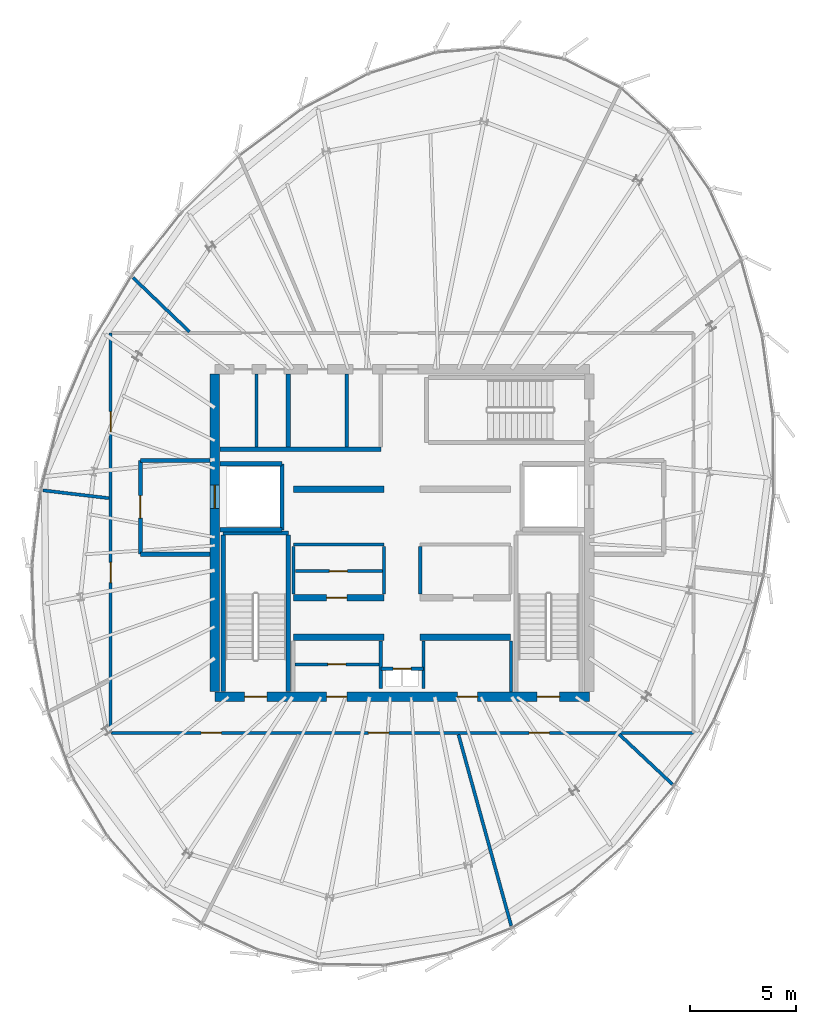
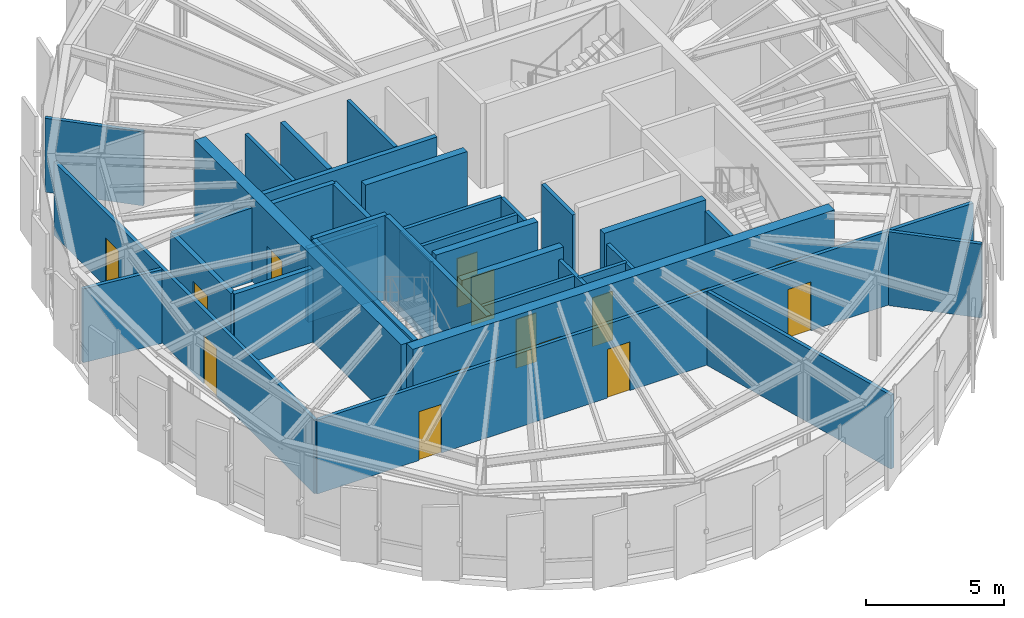
# One storey, part 21 of 26: 35 walls, 15 doors, 15 openings.
"""IFC4 building model written with IfcOpenShell, lengths in metres."""

from ifc_helpers import new_model, si_unit, direction, frame, frame_2d, origin, place, context, subcontext, project, spatial, rectangle, extrude, source, transform, mapped, material, layer, layer_set, type_object, element, fill, save


model = new_model("IFC4")

# Units and contexts
model_context = context("Model", 3, precision=1e-05, world=origin(), true_north=direction((0.0, 1.0)))
body_context = subcontext(model_context, "Body", "Model", "MODEL_VIEW")
ifc_project = project(units=[si_unit("LENGTHUNIT", "METRE"), si_unit("AREAUNIT", "SQUARE_METRE"), si_unit("VOLUMEUNIT", "CUBIC_METRE"), si_unit("PLANEANGLEUNIT", "RADIAN"), si_unit("MASSUNIT", "GRAM", prefix="KILO"), si_unit("THERMODYNAMICTEMPERATUREUNIT", "KELVIN")], contexts=[model_context])

# Site, building, storey
site_placement = place(None, origin())
site = spatial("IfcSite", under=ifc_project, at=site_placement, CompositionType="ELEMENT")
building_placement = place(site_placement, origin())
building = spatial("IfcBuilding", under=site, at=building_placement, Name="Kethvar Cultural Tower", CompositionType="ELEMENT")
storey_placement = place(building_placement, frame((0.0, 0.0, 320.300048828125)))
storey = spatial("IfcBuildingStorey", under=building, at=storey_placement, Name="L85", CompositionType="ELEMENT", Elevation=320.300048828125)

# Wall, openings, doors
ifc_material_1 = material(Name="Concrete C50/60", Category="concrete")
ifc_layer_1 = layer(ifc_material_1, 0.449951171875, Name="Concrete C50/60", Category="concrete")
ifc_layer_set_1 = layer_set([ifc_layer_1], Name="Concrete C50/60 (450 mm)")
wall_type_1 = type_object("IfcWallType", Name="WL-CORE-450", PredefinedType="SHEAR", material=ifc_layer_set_1)
wall_1_placement = place(storey_placement, frame((38.0, 20.10009765625, 0.0), z_axis=(0.0, 0.0, 1.0), x_axis=(1.0, 0.0, 0.0)))
wall_1 = element("IfcWall", 1, at=wall_1_placement, inside=storey, type_object=wall_type_1, Name="L85 Core Shear Wall S", PredefinedType="SHEAR", context=body_context, shape_type="SweptSolid", body=[
    extrude(rectangle(XDim=17.60009765625, YDim=0.449951171875, at=frame_2d((8.800048828125, 0.0))), origin(), (0.0, 0.0, 1.0), 3.73486328125),
])
opening_1_placement = place(wall_1_placement, frame((1.39990234375, 0.0, 0.0)))
opening_1 = element("IfcOpeningElement", 2, at=opening_1_placement, cuts=wall_1, Name="Opening D-L85-S1", PredefinedType="OPENING", context=body_context, shape_type="SweptSolid", body=[
    extrude(rectangle(XDim=1.050048828125, YDim=2.14990234375, at=frame_2d((0.52490234375, 1.074951171875))), frame((0.0, 0.23486328125, 0.0), z_axis=(0.0, -1.0, 0.0), x_axis=(1.0, 0.0, 0.0)), (0.0, 0.0, 1.0), 0.469970703125),
])
opening_2_placement = place(wall_1_placement, frame((15.14990234375, 0.0, 0.0)))
opening_2 = element("IfcOpeningElement", 3, at=opening_2_placement, cuts=wall_1, Name="Opening D-L85-ST2", PredefinedType="OPENING", context=body_context, shape_type="SweptSolid", body=[
    extrude(rectangle(XDim=1.050048828125, YDim=2.14990234375, at=frame_2d((0.52490234375, 1.074951171875))), frame((0.0, 0.23486328125, 0.0), z_axis=(0.0, -1.0, 0.0), x_axis=(1.0, 0.0, 0.0)), (0.0, 0.0, 1.0), 0.469970703125),
])
opening_3_placement = place(wall_1_placement, frame((5.25, 0.0, 0.0)))
opening_3 = element("IfcOpeningElement", 4, at=opening_3_placement, cuts=wall_1, Name="Opening D-L85-V1", PredefinedType="OPENING", context=body_context, shape_type="SweptSolid", body=[
    extrude(rectangle(XDim=0.949951171875, YDim=2.14990234375, at=frame_2d((0.47509765625, 1.074951171875))), frame((0.0, 0.23486328125, 0.0), z_axis=(0.0, -1.0, 0.0), x_axis=(1.0, 0.0, 0.0)), (0.0, 0.0, 1.0), 0.469970703125),
])
opening_4_placement = place(wall_1_placement, frame((11.39990234375, 0.0, 0.0)))
opening_4 = element("IfcOpeningElement", 5, at=opening_4_placement, cuts=wall_1, Name="Opening D-L85-V2", PredefinedType="OPENING", context=body_context, shape_type="SweptSolid", body=[
    extrude(rectangle(XDim=0.949951171875, YDim=2.14990234375, at=frame_2d((0.47509765625, 1.074951171875))), frame((0.0, 0.23486328125, 0.0), z_axis=(0.0, -1.0, 0.0), x_axis=(1.0, 0.0, 0.0)), (0.0, 0.0, 1.0), 0.469970703125),
])
ifc_material_2 = material(Name="Steel S355J2", Category="steel")
door_type_1 = type_object("IfcDoorType", Name="DR-FD60-1050", OperationType="NOTDEFINED", PredefinedType="DOOR", material=ifc_material_2)
shared_shape_1 = source(origin(), body_context, "Body", "SweptSolid", [
    extrude(rectangle(XDim=1.050048828125, YDim=2.14990234375, at=frame_2d((0.52490234375, 1.074951171875))), frame((0.0, 0.02490234375, 0.0), z_axis=(0.0, -1.0, 0.0), x_axis=(1.0, 0.0, 0.0)), (0.0, 0.0, 1.0), 0.050048828125),
])
door_1_placement = place(opening_1_placement, origin())
door_1 = element("IfcDoor", 6, at=door_1_placement, inside=storey, type_object=door_type_1, Name="L85 Exit Stair 1 Door", OperationType="SINGLE_SWING_LEFT", OverallHeight=2.14990234375, OverallWidth=1.050048828125, PredefinedType="DOOR", context=body_context, shape_type="MappedRepresentation", body=[
    mapped(shared_shape_1, transform((0.0, 0.0, 0.0), scale=1.0)),
])
fill(opening_1, door_1)
door_2_placement = place(opening_2_placement, origin())
door_2 = element("IfcDoor", 7, at=door_2_placement, inside=storey, type_object=door_type_1, Name="L85 Exit Stair 2 Door", OperationType="SINGLE_SWING_RIGHT", OverallHeight=2.14990234375, OverallWidth=1.050048828125, PredefinedType="DOOR", context=body_context, shape_type="MappedRepresentation", body=[
    mapped(shared_shape_1, transform((0.0, 0.0, 0.0), scale=1.0)),
])
fill(opening_2, door_2)
ifc_material_3 = material(Name="Architectural Oak Timber", Category="wood")
door_type_2 = type_object("IfcDoorType", Name="DR-FD30-950", OperationType="NOTDEFINED", PredefinedType="DOOR", material=ifc_material_3)
shared_shape_2 = source(origin(), body_context, "Body", "SweptSolid", [
    extrude(rectangle(XDim=0.949951171875, YDim=2.14990234375, at=frame_2d((0.47509765625, 1.074951171875))), frame((0.0, 0.02490234375, 0.0), z_axis=(0.0, -1.0, 0.0), x_axis=(1.0, 0.0, 0.0)), (0.0, 0.0, 1.0), 0.050048828125),
])
door_3_placement = place(opening_3_placement, origin())
door_3 = element("IfcDoor", 8, at=door_3_placement, inside=storey, type_object=door_type_2, Name="L85 Reclaimed West South Door", OperationType="SINGLE_SWING_LEFT", OverallHeight=2.14990234375, OverallWidth=0.949951171875, PredefinedType="DOOR", context=body_context, shape_type="MappedRepresentation", body=[
    mapped(shared_shape_2, transform((0.0, 0.0, 0.0), scale=1.0)),
])
fill(opening_3, door_3)
door_4_placement = place(opening_4_placement, origin())
door_4 = element("IfcDoor", 9, at=door_4_placement, inside=storey, type_object=door_type_2, Name="L85 Reclaimed East Server Door", OperationType="SINGLE_SWING_RIGHT", OverallHeight=2.14990234375, OverallWidth=0.949951171875, PredefinedType="DOOR", context=body_context, shape_type="MappedRepresentation", body=[
    mapped(shared_shape_2, transform((0.0, 0.0, 0.0), scale=1.0)),
])
fill(opening_4, door_4)

# Wall, opening, door
wall_2_placement = place(storey_placement, frame((38.0, 35.260009765625, 0.0), z_axis=(0.0, 0.0, 1.0), x_axis=(0.0, -1.0, 0.0)))
wall_2 = element("IfcWall", 10, at=wall_2_placement, inside=storey, type_object=wall_type_1, Name="L85 Core Shear Wall W", PredefinedType="SHEAR", context=body_context, shape_type="SweptSolid", body=[
    extrude(rectangle(XDim=14.919921875, YDim=0.449951171875, at=frame_2d((7.4599609375, 0.0))), origin(), (0.0, 0.0, 1.0), 3.73486328125),
])
opening_5_placement = place(wall_2_placement, frame((5.2099609375, 0.0, 0.0)))
opening_5 = element("IfcOpeningElement", 11, at=opening_5_placement, cuts=wall_2, Name="Opening LD-1", PredefinedType="OPENING", context=body_context, shape_type="SweptSolid", body=[
    extrude(rectangle(XDim=1.10009765625, YDim=2.199951171875, at=frame_2d((0.550048828125, 1.10009765625))), frame((0.0, 0.23486328125, 0.0), z_axis=(0.0, -1.0, 0.0), x_axis=(1.0, 0.0, 0.0)), (0.0, 0.0, 1.0), 0.469970703125),
])
door_type_3 = type_object("IfcDoorType", Name="DR-LIFT-SLIDE-1100", OperationType="NOTDEFINED", PredefinedType="DOOR", material=ifc_material_2)
shared_shape_3 = source(origin(), body_context, "Body", "SweptSolid", [
    extrude(rectangle(XDim=1.10009765625, YDim=2.199951171875, at=frame_2d((0.550048828125, 1.10009765625))), frame((0.0, 0.02490234375, 0.0), z_axis=(0.0, -1.0, 0.0), x_axis=(1.0, 0.0, 0.0)), (0.0, 0.0, 1.0), 0.050048828125),
])
door_5_placement = place(opening_5_placement, origin())
door_5 = element("IfcDoor", 12, at=door_5_placement, inside=storey, type_object=door_type_3, Name="L85 Firefighting Lift Landing Door FFL-01", OperationType="SLIDING_TO_LEFT", OverallHeight=2.199951171875, OverallWidth=1.10009765625, PredefinedType="DOOR", context=body_context, shape_type="MappedRepresentation", body=[
    mapped(shared_shape_3, transform((0.0, 0.0, 0.0), scale=1.0)),
])
fill(opening_5, door_5)

ifc_material_4 = material(Name="Gypsum Fireboard Partition")
ifc_layer_2 = layer(ifc_material_4, 0.14990234375, Name="Gypsum Fireboard Partition")
ifc_layer_set_2 = layer_set([ifc_layer_2], Name="Gypsum Fireboard Partition (150 mm)")
wall_type_2 = type_object("IfcWallType", Name="WL-FIRE-150", PredefinedType="PARTITIONING", material=ifc_layer_set_2)
wall_3_placement = place(storey_placement, frame((45.800048828125, 21.419921875, 0.0), z_axis=(0.0, 0.0, 1.0), x_axis=(1.0, 0.0, 0.0)))
wall_3 = element("IfcWall", 13, at=wall_3_placement, inside=storey, type_object=wall_type_2, Name="L85 Core Riser Wall", PredefinedType="PARTITIONING", context=body_context, shape_type="SweptSolid", body=[
    extrude(rectangle(XDim=2.0, YDim=0.14990234375, at=frame_2d((1.0, 0.0))), origin(), (0.0, 0.0, 1.0), 3.260009765625),
])
opening_6_placement = place(wall_3_placement, frame((0.574951171875, 0.0, 0.0)))
opening_6 = element("IfcOpeningElement", 14, at=opening_6_placement, cuts=wall_3, Name="Opening D-L85-RS", PredefinedType="OPENING", context=body_context, shape_type="SweptSolid", body=[
    extrude(rectangle(XDim=0.85009765625, YDim=2.14990234375, at=frame_2d((0.425048828125, 1.074951171875))), frame((0.0, 0.0849609375, 0.0), z_axis=(0.0, -1.0, 0.0), x_axis=(1.0, 0.0, 0.0)), (0.0, 0.0, 1.0), 0.169921875),
])
door_type_4 = type_object("IfcDoorType", Name="DR-FD30-850", OperationType="NOTDEFINED", PredefinedType="DOOR", material=ifc_material_2)
shared_shape_4 = source(origin(), body_context, "Body", "SweptSolid", [
    extrude(rectangle(XDim=0.85009765625, YDim=2.14990234375, at=frame_2d((0.425048828125, 1.074951171875))), frame((0.0, 0.02490234375, 0.0), z_axis=(0.0, -1.0, 0.0), x_axis=(1.0, 0.0, 0.0)), (0.0, 0.0, 1.0), 0.050048828125),
])
door_6_placement = place(opening_6_placement, origin())
door_6 = element("IfcDoor", 15, at=door_6_placement, inside=storey, type_object=door_type_4, Name="L85 Service Riser Access Door", OperationType="SINGLE_SWING_LEFT", OverallHeight=2.14990234375, OverallWidth=0.85009765625, PredefinedType="DOOR", context=body_context, shape_type="MappedRepresentation", body=[
    mapped(shared_shape_4, transform((0.0, 0.0, 0.0), scale=1.0)),
])
fill(opening_6, door_6)

# Walls
for number, where, z_axis, x_axis, name in (
    (16, (45.800048828125, 20.47998046875, 0.0), (0.0, 0.0, 1.0), (0.0, 1.0, 0.0), "L85 Core Riser West Wall"),
    (17, (47.800048828125, 20.47998046875, 0.0), (0.0, 0.0, 1.0), (0.0, 1.0, 0.0), "L85 Core Riser East Wall"),
):
    element("IfcWall", number, at=place(storey_placement, frame(where, z_axis=z_axis, x_axis=x_axis)), inside=storey, type_object=wall_type_2, Name=name, PredefinedType="PARTITIONING", context=body_context, shape_type="SweptSolid", body=[
        extrude(rectangle(XDim=2.239990234375, YDim=0.14990234375, at=frame_2d((1.1201171875, 0.0))), origin(), (0.0, 0.0, 1.0), 3.260009765625),
    ])
wall_4_placement = place(storey_placement, frame((51.919921875, 20.3349609375, 0.0), z_axis=(0.0, 0.0, 1.0), x_axis=(0.0, 1.0, 0.0)))
element("IfcWall", 18, at=wall_4_placement, inside=storey, type_object=wall_type_2, Name="L85 Reclaimed East Outer Wall", PredefinedType="PARTITIONING", context=body_context, shape_type="SweptSolid", body=[
    extrude(rectangle(XDim=2.39501953125, YDim=0.14990234375, at=frame_2d((1.197509765625, 0.0))), origin(), (0.0, 0.0, 1.0), 3.260009765625),
])

# Wall, opening, door
wall_5_placement = place(storey_placement, frame((41.760009765625, 21.6201171875, 0.0), z_axis=(0.0, 0.0, 1.0), x_axis=(1.0, 0.0, 0.0)))
wall_5 = element("IfcWall", 19, at=wall_5_placement, inside=storey, type_object=wall_type_2, Name="L85 Vault Gallery Wall W", PredefinedType="PARTITIONING", context=body_context, shape_type="SweptSolid", body=[
    extrude(rectangle(XDim=3.9599609375, YDim=0.14990234375, at=frame_2d((1.97998046875, 0.0))), origin(), (0.0, 0.0, 1.0), 3.260009765625),
])
opening_7_placement = place(wall_5_placement, frame((1.550048828125, 0.0, 0.0)))
opening_7 = element("IfcOpeningElement", 20, at=opening_7_placement, cuts=wall_5, Name="Opening D-L85-V3", PredefinedType="OPENING", context=body_context, shape_type="SweptSolid", body=[
    extrude(rectangle(XDim=0.85009765625, YDim=2.14990234375, at=frame_2d((0.425048828125, 1.074951171875))), frame((0.0, 0.0849609375, 0.0), z_axis=(0.0, -1.0, 0.0), x_axis=(1.0, 0.0, 0.0)), (0.0, 0.0, 1.0), 0.169921875),
])
door_7_placement = place(opening_7_placement, origin())
door_7 = element("IfcDoor", 21, at=door_7_placement, inside=storey, type_object=door_type_4, Name="L85 Inner Vault Gallery Door", OperationType="SINGLE_SWING_LEFT", OverallHeight=2.14990234375, OverallWidth=0.85009765625, PredefinedType="DOOR", context=body_context, shape_type="MappedRepresentation", body=[
    mapped(shared_shape_4, transform((0.0, 0.0, 0.0), scale=1.0)),
])
fill(opening_7, door_7)

# Walls
wall_6_placement = place(storey_placement, frame((41.699951171875, 27.25, 0.0), z_axis=(0.0, 0.0, 1.0), x_axis=(1.0, 0.0, 0.0)))
element("IfcWall", 22, at=wall_6_placement, inside=storey, type_object=wall_type_2, Name="L85 Reclaimed Mid Wall W", PredefinedType="PARTITIONING", context=body_context, shape_type="SweptSolid", body=[
    extrude(rectangle(XDim=4.25, YDim=0.14990234375, at=frame_2d((2.125, 0.0))), origin(), (0.0, 0.0, 1.0), 3.260009765625),
])
for number, where, z_axis, x_axis, name in (
    (23, (41.699951171875, 24.919921875, 0.0), (0.0, 0.0, 1.0), (0.0, 1.0, 0.0), "L85 Reclaimed Mid Outer W"),
    (24, (45.949951171875, 24.919921875, 0.0), (0.0, 0.0, 1.0), (0.0, 1.0, 0.0), "L85 Reclaimed Mid Spine W"),
    (25, (47.64990234375, 24.919921875, 0.0), (0.0, 0.0, 1.0), (0.0, 1.0, 0.0), "L85 Reclaimed Mid Spine E"),
):
    element("IfcWall", number, at=place(storey_placement, frame(where, z_axis=z_axis, x_axis=x_axis)), inside=storey, type_object=wall_type_2, Name=name, PredefinedType="PARTITIONING", context=body_context, shape_type="SweptSolid", body=[
        extrude(rectangle(XDim=2.239990234375, YDim=0.14990234375, at=frame_2d((1.1201171875, 0.0))), origin(), (0.0, 0.0, 1.0), 3.260009765625),
    ])

# Wall, opening, door
wall_7_placement = place(storey_placement, frame((41.780029296875, 26.010009765625, 0.0), z_axis=(0.0, 0.0, 1.0), x_axis=(1.0, 0.0, 0.0)))
wall_7 = element("IfcWall", 26, at=wall_7_placement, inside=storey, type_object=wall_type_2, Name="L85 Mid Gallery Wall W", PredefinedType="PARTITIONING", context=body_context, shape_type="SweptSolid", body=[
    extrude(rectangle(XDim=4.090087890625, YDim=0.14990234375, at=frame_2d((2.044921875, 0.0))), origin(), (0.0, 0.0, 1.0), 3.260009765625),
])
opening_8_placement = place(wall_7_placement, frame((1.60009765625, 0.0, 0.0)))
opening_8 = element("IfcOpeningElement", 27, at=opening_8_placement, cuts=wall_7, Name="Opening D-L85-M3", PredefinedType="OPENING", context=body_context, shape_type="SweptSolid", body=[
    extrude(rectangle(XDim=0.85009765625, YDim=2.14990234375, at=frame_2d((0.425048828125, 1.074951171875))), frame((0.0, 0.0849609375, 0.0), z_axis=(0.0, -1.0, 0.0), x_axis=(1.0, 0.0, 0.0)), (0.0, 0.0, 1.0), 0.169921875),
])
door_8_placement = place(opening_8_placement, origin())
door_8 = element("IfcDoor", 28, at=door_8_placement, inside=storey, type_object=door_type_4, Name="L85 Fibre Inner Door", OperationType="SINGLE_SWING_LEFT", OverallHeight=2.14990234375, OverallWidth=0.85009765625, PredefinedType="DOOR", context=body_context, shape_type="MappedRepresentation", body=[
    mapped(shared_shape_4, transform((0.0, 0.0, 0.0), scale=1.0)),
])
fill(opening_8, door_8)

# Wall
wall_8_placement = place(storey_placement, frame((39.949951171875, 31.85009765625, 0.0), z_axis=(0.0, 0.0, 1.0), x_axis=(0.0, 1.0, 0.0)))
element("IfcWall", 29, at=wall_8_placement, inside=storey, type_object=wall_type_2, Name="L85 NW Riser Divider", PredefinedType="PARTITIONING", context=body_context, shape_type="SweptSolid", body=[
    extrude(rectangle(XDim=3.414794921875, YDim=0.14990234375, at=frame_2d((1.70751953125, 0.0))), origin(), (0.0, 0.0, 1.0), 3.260009765625),
])

# Wall, openings, doors
wall_9_placement = place(storey_placement, frame((33.10009765625, 18.39990234375, 0.0), z_axis=(0.0, 0.0, 1.0), x_axis=(1.0, 0.0, 0.0)))
wall_9 = element("IfcWall", 30, at=wall_9_placement, inside=storey, type_object=wall_type_2, Name="L85 Corridor Rated Wall S", PredefinedType="PARTITIONING", context=body_context, shape_type="SweptSolid", body=[
    extrude(rectangle(XDim=27.39990234375, YDim=0.14990234375, at=frame_2d((13.699951171875, 0.0))), origin(), (0.0, 0.0, 1.0), 3.260009765625),
])
opening_9_placement = place(wall_9_placement, frame((4.257080078125, 0.0, 0.0)))
opening_9 = element("IfcOpeningElement", 31, at=opening_9_placement, cuts=wall_9, Name="Opening D-L85-01", PredefinedType="OPENING", context=body_context, shape_type="SweptSolid", body=[
    extrude(rectangle(XDim=0.949951171875, YDim=2.14990234375, at=frame_2d((0.47509765625, 1.074951171875))), frame((0.0, 0.0849609375, 0.0), z_axis=(0.0, -1.0, 0.0), x_axis=(1.0, 0.0, 0.0)), (0.0, 0.0, 1.0), 0.169921875),
])
opening_10_placement = place(wall_9_placement, frame((12.11962890625, 0.0, 0.0)))
opening_10 = element("IfcOpeningElement", 32, at=opening_10_placement, cuts=wall_9, Name="Opening D-L85-02", PredefinedType="OPENING", context=body_context, shape_type="SweptSolid", body=[
    extrude(rectangle(XDim=0.949951171875, YDim=2.14990234375, at=frame_2d((0.47509765625, 1.074951171875))), frame((0.0, 0.0849609375, 0.0), z_axis=(0.0, -1.0, 0.0), x_axis=(1.0, 0.0, 0.0)), (0.0, 0.0, 1.0), 0.169921875),
])
opening_11_placement = place(wall_9_placement, frame((19.673583984375, 0.0, 0.0)))
opening_11 = element("IfcOpeningElement", 33, at=opening_11_placement, cuts=wall_9, Name="Opening D-L85-03", PredefinedType="OPENING", context=body_context, shape_type="SweptSolid", body=[
    extrude(rectangle(XDim=0.949951171875, YDim=2.14990234375, at=frame_2d((0.47509765625, 1.074951171875))), frame((0.0, 0.0849609375, 0.0), z_axis=(0.0, -1.0, 0.0), x_axis=(1.0, 0.0, 0.0)), (0.0, 0.0, 1.0), 0.169921875),
])
door_9_placement = place(opening_9_placement, origin())
door_9 = element("IfcDoor", 34, at=door_9_placement, inside=storey, type_object=door_type_2, Name="L85 Crown Chiller Plant Room 01 Door", OperationType="SINGLE_SWING_RIGHT", OverallHeight=2.14990234375, OverallWidth=0.949951171875, PredefinedType="DOOR", context=body_context, shape_type="MappedRepresentation", body=[
    mapped(shared_shape_2, transform((0.0, 0.0, 0.0), scale=1.0)),
])
fill(opening_9, door_9)
door_10_placement = place(opening_10_placement, origin())
door_10 = element("IfcDoor", 35, at=door_10_placement, inside=storey, type_object=door_type_2, Name="L85 Primary AHU Mechanical Plant Room 02 Door", OperationType="SINGLE_SWING_LEFT", OverallHeight=2.14990234375, OverallWidth=0.949951171875, PredefinedType="DOOR", context=body_context, shape_type="MappedRepresentation", body=[
    mapped(shared_shape_2, transform((0.0, 0.0, 0.0), scale=1.0)),
])
fill(opening_10, door_10)
door_11_placement = place(opening_11_placement, origin())
door_11 = element("IfcDoor", 36, at=door_11_placement, inside=storey, type_object=door_type_2, Name="L85 Broadcast Transmitter Plant Room 03 Door", OperationType="SINGLE_SWING_RIGHT", OverallHeight=2.14990234375, OverallWidth=0.949951171875, PredefinedType="DOOR", context=body_context, shape_type="MappedRepresentation", body=[
    mapped(shared_shape_2, transform((0.0, 0.0, 0.0), scale=1.0)),
])
fill(opening_11, door_11)

wall_10_placement = place(storey_placement, frame((33.10009765625, 37.199951171875, 0.0), z_axis=(0.0, 0.0, 1.0), x_axis=(0.0, -1.0, 0.0)))
wall_10 = element("IfcWall", 37, at=wall_10_placement, inside=storey, type_object=wall_type_2, Name="L85 Corridor Rated Wall W", PredefinedType="PARTITIONING", context=body_context, shape_type="SweptSolid", body=[
    extrude(rectangle(XDim=18.800048828125, YDim=0.14990234375, at=frame_2d((9.39990234375, 0.0))), origin(), (0.0, 0.0, 1.0), 3.260009765625),
])
opening_12_placement = place(wall_10_placement, frame((3.702880859375, 0.0, 0.0)))
opening_12 = element("IfcOpeningElement", 38, at=opening_12_placement, cuts=wall_10, Name="Opening D-L85-09", PredefinedType="OPENING", context=body_context, shape_type="SweptSolid", body=[
    extrude(rectangle(XDim=0.949951171875, YDim=2.14990234375, at=frame_2d((0.47509765625, 1.074951171875))), frame((0.0, 0.0849609375, 0.0), z_axis=(0.0, -1.0, 0.0), x_axis=(1.0, 0.0, 0.0)), (0.0, 0.0, 1.0), 0.169921875),
])
opening_13_placement = place(wall_10_placement, frame((10.783935546875, 0.0, 0.0)))
opening_13 = element("IfcOpeningElement", 39, at=opening_13_placement, cuts=wall_10, Name="Opening D-L85-10", PredefinedType="OPENING", context=body_context, shape_type="SweptSolid", body=[
    extrude(rectangle(XDim=0.949951171875, YDim=2.14990234375, at=frame_2d((0.47509765625, 1.074951171875))), frame((0.0, 0.0849609375, 0.0), z_axis=(0.0, -1.0, 0.0), x_axis=(1.0, 0.0, 0.0)), (0.0, 0.0, 1.0), 0.169921875),
])
door_12_placement = place(opening_12_placement, origin())
door_12 = element("IfcDoor", 40, at=door_12_placement, inside=storey, type_object=door_type_2, Name="L85 Smoke Extract Mechanical Plant Room 09 Door", OperationType="SINGLE_SWING_RIGHT", OverallHeight=2.14990234375, OverallWidth=0.949951171875, PredefinedType="DOOR", context=body_context, shape_type="MappedRepresentation", body=[
    mapped(shared_shape_2, transform((0.0, 0.0, 0.0), scale=1.0)),
])
fill(opening_12, door_12)
door_13_placement = place(opening_13_placement, origin())
door_13 = element("IfcDoor", 41, at=door_13_placement, inside=storey, type_object=door_type_2, Name="L85 Telemetry Equipment Plant Room 10 Door", OperationType="SINGLE_SWING_LEFT", OverallHeight=2.14990234375, OverallWidth=0.949951171875, PredefinedType="DOOR", context=body_context, shape_type="MappedRepresentation", body=[
    mapped(shared_shape_2, transform((0.0, 0.0, 0.0), scale=1.0)),
])
fill(opening_13, door_13)

# Walls
wall_11_placement = place(storey_placement, frame((49.449951171875, 18.322998046875, 0.0), z_axis=(0.0, 0.0, 1.0), x_axis=(0.265908021181, -0.963998404704, 0.0)))
element("IfcWall", 42, at=wall_11_placement, inside=storey, type_object=wall_type_2, Name="L85 Radial Partition Wall 03", PredefinedType="PARTITIONING", context=body_context, shape_type="SweptSolid", body=[
    extrude(rectangle(XDim=9.32373046875, YDim=0.14990234375, at=frame_2d((4.661865234375, 0.0))), origin(), (0.0, 0.0, 1.0), 3.260009765625),
])
wall_12_placement = place(storey_placement, frame((56.994873046875, 18.34521484375, 0.0), z_axis=(0.0, 0.0, 1.0), x_axis=(0.728734466028, -0.684796377052, 0.0)))
element("IfcWall", 43, at=wall_12_placement, inside=storey, type_object=wall_type_2, Name="L85 Radial Partition Wall 04", PredefinedType="PARTITIONING", context=body_context, shape_type="SweptSolid", body=[
    extrude(rectangle(XDim=3.445068359375, YDim=0.14990234375, at=frame_2d((1.72265625, 0.0))), origin(), (0.0, 0.0, 1.0), 3.260009765625),
])
wall_13_placement = place(storey_placement, frame((36.80517578125, 37.25537109375, 0.0), z_axis=(0.0, 0.0, 1.0), x_axis=(-0.721787379601, 0.692114859433, 0.0)))
element("IfcWall", 44, at=wall_13_placement, inside=storey, type_object=wall_type_2, Name="L85 Radial Partition Wall 09", PredefinedType="PARTITIONING", context=body_context, shape_type="SweptSolid", body=[
    extrude(rectangle(XDim=3.669677734375, YDim=0.14990234375, at=frame_2d((1.8349609375, 0.0))), origin(), (0.0, 0.0, 1.0), 3.260009765625),
])
wall_14_placement = place(storey_placement, frame((33.0205078125, 29.43359375, 0.0), z_axis=(0.0, 0.0, 1.0), x_axis=(-0.993026995763, 0.117887173544, 0.0)))
element("IfcWall", 45, at=wall_14_placement, inside=storey, type_object=wall_type_2, Name="L85 Radial Partition Wall 10", PredefinedType="PARTITIONING", context=body_context, shape_type="SweptSolid", body=[
    extrude(rectangle(XDim=3.11474609375, YDim=0.14990234375, at=frame_2d((1.557373046875, 0.0))), origin(), (0.0, 0.0, 1.0), 3.260009765625),
])
ifc_material_5 = material(Name="Concrete C40/50", Category="concrete")
ifc_layer_3 = layer(ifc_material_5, 0.199951171875, Name="Concrete C40/50", Category="concrete")
ifc_layer_set_3 = layer_set([ifc_layer_3], Name="Concrete C40/50 (200 mm)")
wall_type_3 = type_object("IfcWallType", Name="WL-FIRE-200", PredefinedType="PARTITIONING", material=ifc_layer_set_3)
wall_15_placement = place(storey_placement, frame((41.14990234375, 27.949951171875, 0.0), z_axis=(0.0, 0.0, 1.0), x_axis=(0.0, 1.0, 0.0)))
element("IfcWall", 46, at=wall_15_placement, inside=storey, type_object=wall_type_3, Name="L85 FFL-01 Shaft Inner Wall", PredefinedType="PARTITIONING", context=body_context, shape_type="SweptSolid", body=[
    extrude(rectangle(XDim=3.10009765625, YDim=0.199951171875, at=frame_2d((1.550048828125, 0.0))), origin(), (0.0, 0.0, 1.0), 3.260009765625),
])
for number, where, z_axis, x_axis, name in (
    (47, (38.235107421875, 27.949951171875, 0.0), (0.0, 0.0, 1.0), (1.0, 0.0, 0.0), "L85 FFL-01 Shaft South Wall"),
    (48, (38.235107421875, 31.050048828125, 0.0), (0.0, 0.0, 1.0), (1.0, 0.0, 0.0), "L85 FFL-01 Shaft North Wall"),
):
    element("IfcWall", number, at=place(storey_placement, frame(where, z_axis=z_axis, x_axis=x_axis)), inside=storey, type_object=wall_type_3, Name=name, PredefinedType="PARTITIONING", context=body_context, shape_type="SweptSolid", body=[
        extrude(rectangle(XDim=2.914794921875, YDim=0.199951171875, at=frame_2d((1.45751953125, 0.0))), origin(), (0.0, 0.0, 1.0), 3.260009765625),
    ])

# Wall, opening, door
wall_16_placement = place(storey_placement, frame((34.5, 31.199951171875, 0.0), z_axis=(0.0, 0.0, 1.0), x_axis=(0.0, -1.0, 0.0)))
wall_16 = element("IfcWall", 49, at=wall_16_placement, inside=storey, type_object=wall_type_3, Name="L85 Firefighting Lobby 1 Wall", PredefinedType="PARTITIONING", context=body_context, shape_type="SweptSolid", body=[
    extrude(rectangle(XDim=4.39990234375, YDim=0.199951171875, at=frame_2d((2.199951171875, 0.0))), origin(), (0.0, 0.0, 1.0), 3.260009765625),
])
opening_14_placement = place(wall_16_placement, frame((1.64990234375, 0.0, 0.0)))
opening_14 = element("IfcOpeningElement", 50, at=opening_14_placement, cuts=wall_16, Name="Opening D-L85-F1", PredefinedType="OPENING", context=body_context, shape_type="SweptSolid", body=[
    extrude(rectangle(XDim=1.050048828125, YDim=2.14990234375, at=frame_2d((0.52490234375, 1.074951171875))), frame((0.0, 0.10986328125, 0.0), z_axis=(0.0, -1.0, 0.0), x_axis=(1.0, 0.0, 0.0)), (0.0, 0.0, 1.0), 0.219970703125),
])
door_14_placement = place(opening_14_placement, origin())
door_14 = element("IfcDoor", 51, at=door_14_placement, inside=storey, type_object=door_type_1, Name="L85 Firefighting Lobby 1 Fire Door", OperationType="SINGLE_SWING_LEFT", OverallHeight=2.14990234375, OverallWidth=1.050048828125, PredefinedType="DOOR", context=body_context, shape_type="MappedRepresentation", body=[
    mapped(shared_shape_1, transform((0.0, 0.0, 0.0), scale=1.0)),
])
fill(opening_14, door_14)

# Walls
for number, where, z_axis, x_axis, name in (
    (52, (34.5, 26.800048828125, 0.0), (0.0, 0.0, 1.0), (1.0, 0.0, 0.0), "L85 FF Lobby 1 South Wall"),
    (53, (34.5, 31.199951171875, 0.0), (0.0, 0.0, 1.0), (1.0, 0.0, 0.0), "L85 FF Lobby 1 North Wall"),
):
    element("IfcWall", number, at=place(storey_placement, frame(where, z_axis=z_axis, x_axis=x_axis)), inside=storey, type_object=wall_type_3, Name=name, PredefinedType="PARTITIONING", context=body_context, shape_type="SweptSolid", body=[
        extrude(rectangle(XDim=3.264892578125, YDim=0.199951171875, at=frame_2d((1.63232421875, 0.0))), origin(), (0.0, 0.0, 1.0), 3.260009765625),
    ])
wall_17_placement = place(storey_placement, frame((41.449951171875, 31.85009765625, 0.0), z_axis=(0.0, 0.0, 1.0), x_axis=(0.0, 1.0, 0.0)))
element("IfcWall", 54, at=wall_17_placement, inside=storey, type_object=wall_type_3, Name="L85 NW Core Pocket Wall", PredefinedType="PARTITIONING", context=body_context, shape_type="SweptSolid", body=[
    extrude(rectangle(XDim=3.414794921875, YDim=0.199951171875, at=frame_2d((1.70751953125, 0.0))), origin(), (0.0, 0.0, 1.0), 3.260009765625),
])
wall_18_placement = place(storey_placement, frame((38.235107421875, 31.72998046875, 0.0), z_axis=(0.0, 0.0, 1.0), x_axis=(1.0, 0.0, 0.0)))
element("IfcWall", 55, at=wall_18_placement, inside=storey, type_object=wall_type_3, Name="L85 North Core Sanitary South Wall", PredefinedType="PARTITIONING", context=body_context, shape_type="SweptSolid", body=[
    extrude(rectangle(XDim=7.56494140625, YDim=0.199951171875, at=frame_2d((3.782470703125, 0.0))), origin(), (0.0, 0.0, 1.0), 3.260009765625),
])
ifc_material_6 = material(Name="Moisture-Resistant Sanitary Chase Wall")
ifc_layer_4 = layer(ifc_material_6, 0.14990234375, Name="Moisture-Resistant Sanitary Chase Wall")
ifc_layer_set_4 = layer_set([ifc_layer_4], Name="Moisture-Resistant Sanitary Chase Wall (150 mm)")
wall_type_4 = type_object("IfcWallType", Name="WL-PLUMB-150", PredefinedType="PLUMBINGWALL", material=ifc_layer_set_4)
wall_19_placement = place(storey_placement, frame((44.199951171875, 31.85009765625, 0.0), z_axis=(0.0, 0.0, 1.0), x_axis=(0.0, 1.0, 0.0)))
element("IfcWall", 56, at=wall_19_placement, inside=storey, type_object=wall_type_4, Name="L85 Sanitary Plumbing Wall", PredefinedType="PLUMBINGWALL", context=body_context, shape_type="SweptSolid", body=[
    extrude(rectangle(XDim=3.414794921875, YDim=0.14990234375, at=frame_2d((1.70751953125, 0.0))), origin(), (0.0, 0.0, 1.0), 3.260009765625),
])
ifc_layer_5 = layer(ifc_material_1, 0.300048828125, Name="Concrete C50/60", Category="concrete")
ifc_layer_set_5 = layer_set([ifc_layer_5], Name="Concrete C50/60 (300 mm)")
wall_type_5 = type_object("IfcWallType", Name="WL-SHAFT-300", PredefinedType="SHEAR", material=ifc_layer_set_5)
for number, where, z_axis, x_axis, name in (
    (57, (41.699951171875, 22.89990234375, 0.0), (0.0, 0.0, 1.0), (1.0, 0.0, 0.0), "L85 Core Lift Spine Wall MID1W"),
    (58, (47.64990234375, 22.89990234375, 0.0), (0.0, 0.0, 1.0), (1.0, 0.0, 0.0), "L85 Core Lift Spine Wall MID1E"),
):
    element("IfcWall", number, at=place(storey_placement, frame(where, z_axis=z_axis, x_axis=x_axis)), inside=storey, type_object=wall_type_5, Name=name, PredefinedType="SHEAR", context=body_context, shape_type="SweptSolid", body=[
        extrude(rectangle(XDim=4.25, YDim=0.300048828125, at=frame_2d((2.125, 0.0))), origin(), (0.0, 0.0, 1.0), 3.73486328125),
    ])

# Wall, opening, door
wall_20_placement = place(storey_placement, frame((41.699951171875, 24.75, 0.0), z_axis=(0.0, 0.0, 1.0), x_axis=(1.0, 0.0, 0.0)))
wall_20 = element("IfcWall", 59, at=wall_20_placement, inside=storey, type_object=wall_type_5, Name="L85 Core Lift Spine Wall MID2W", PredefinedType="SHEAR", context=body_context, shape_type="SweptSolid", body=[
    extrude(rectangle(XDim=4.25, YDim=0.300048828125, at=frame_2d((2.125, 0.0))), origin(), (0.0, 0.0, 1.0), 3.73486328125),
])
opening_15_placement = place(wall_20_placement, frame((1.550048828125, 0.0, 0.0)))
opening_15 = element("IfcOpeningElement", 60, at=opening_15_placement, cuts=wall_20, Name="Opening D-L85-M1", PredefinedType="OPENING", context=body_context, shape_type="SweptSolid", body=[
    extrude(rectangle(XDim=0.949951171875, YDim=2.14990234375, at=frame_2d((0.47509765625, 1.074951171875))), frame((0.0, 0.159912109375, 0.0), z_axis=(0.0, -1.0, 0.0), x_axis=(1.0, 0.0, 0.0)), (0.0, 0.0, 1.0), 0.320068359375),
])
door_15_placement = place(opening_15_placement, origin())
door_15 = element("IfcDoor", 61, at=door_15_placement, inside=storey, type_object=door_type_2, Name="L85 Fibre Patch Door", OperationType="SINGLE_SWING_LEFT", OverallHeight=2.14990234375, OverallWidth=0.949951171875, PredefinedType="DOOR", context=body_context, shape_type="MappedRepresentation", body=[
    mapped(shared_shape_2, transform((0.0, 0.0, 0.0), scale=1.0)),
])
fill(opening_15, door_15)

# Walls
wall_21_placement = place(storey_placement, frame((41.699951171875, 29.85009765625, 0.0), z_axis=(0.0, 0.0, 1.0), x_axis=(1.0, 0.0, 0.0)))
element("IfcWall", 62, at=wall_21_placement, inside=storey, type_object=wall_type_5, Name="L85 Core Lift Spine Wall MID3W", PredefinedType="SHEAR", context=body_context, shape_type="SweptSolid", body=[
    extrude(rectangle(XDim=4.25, YDim=0.300048828125, at=frame_2d((2.125, 0.0))), origin(), (0.0, 0.0, 1.0), 3.73486328125),
])
ifc_layer_6 = layer(ifc_material_1, 0.199951171875, Name="Concrete C50/60", Category="concrete")
ifc_layer_set_6 = layer_set([ifc_layer_6], Name="Concrete C50/60 (200 mm)")
wall_type_6 = type_object("IfcWallType", Name="WL-STSHAFT-200", PredefinedType="SHEAR", material=ifc_layer_set_6)
wall_22_placement = place(storey_placement, frame((38.389892578125, 27.800048828125, 0.0), z_axis=(0.0, 0.0, 1.0), x_axis=(1.0, 0.0, 0.0)))
element("IfcWall", 63, at=wall_22_placement, inside=storey, type_object=wall_type_6, Name="L85 ST-01 Stair Shaft Wall FAR", PredefinedType="SHEAR", context=body_context, shape_type="SweptSolid", body=[
    extrude(rectangle(XDim=3.06005859375, YDim=0.199951171875, at=frame_2d((1.530029296875, 0.0))), origin(), (0.0, 0.0, 1.0), 3.73486328125),
])
for number, where, z_axis, x_axis, name in (
    (64, (41.449951171875, 27.699951171875, 0.0), (0.0, 0.0, 1.0), (0.0, -1.0, 0.0), "L85 ST-01 Stair Shaft Wall LEFT"),
    (65, (38.389892578125, 20.35009765625, 0.0), (0.0, 0.0, 1.0), (0.0, 1.0, 0.0), "L85 ST-01 Stair Shaft Wall RIGHT"),
):
    element("IfcWall", number, at=place(storey_placement, frame(where, z_axis=z_axis, x_axis=x_axis)), inside=storey, type_object=wall_type_6, Name=name, PredefinedType="SHEAR", context=body_context, shape_type="SweptSolid", body=[
        extrude(rectangle(XDim=7.349853515625, YDim=0.199951171875, at=frame_2d((3.6748046875, 0.0))), origin(), (0.0, 0.0, 1.0), 3.73486328125),
    ])

save(model, "model.ifc")
